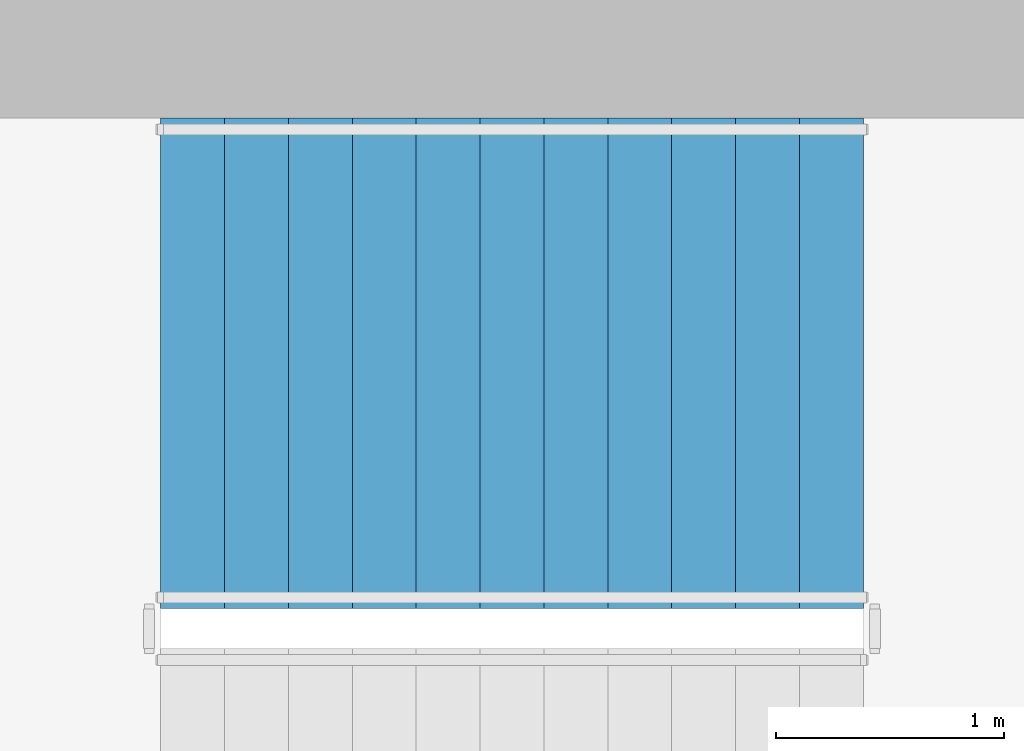
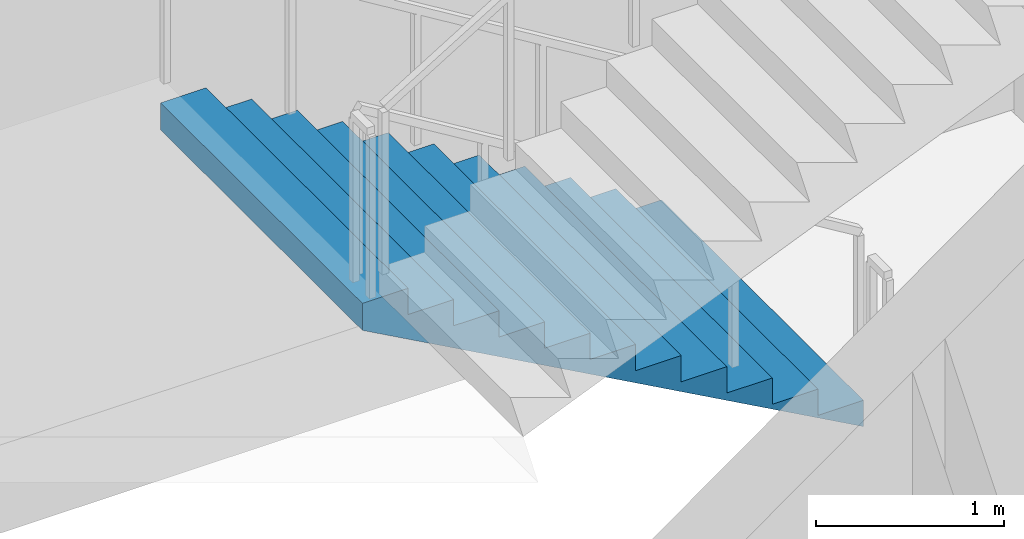
# One storey, part 10 of 15: 1 stair flight, 1 element without a shape of its own.
"""IFC4 building model written with IfcOpenShell, lengths in metres."""

from ifc_helpers import new_model, si_unit, direction, frame, origin, place, context, subcontext, project, spatial, triangles, material, type_object, element, aggregate, save


model = new_model("IFC4")

# Units and contexts
model_context = context("Model", 3, precision=1e-05, world=origin(), true_north=direction((0.0, 1.0)))
body_context = subcontext(model_context, "Body", "Model", "MODEL_VIEW")
ifc_project = project(units=[si_unit("LENGTHUNIT", "METRE"), si_unit("AREAUNIT", "SQUARE_METRE"), si_unit("VOLUMEUNIT", "CUBIC_METRE"), si_unit("PLANEANGLEUNIT", "RADIAN"), si_unit("MASSUNIT", "GRAM", prefix="KILO")], contexts=[model_context])

# Site, building, storey
site_placement = place(None, origin())
site = spatial("IfcSite", under=ifc_project, at=site_placement, CompositionType="ELEMENT")
building_placement = place(site_placement, origin())
building = spatial("IfcBuilding", under=site, at=building_placement, Name="Cypress Arch Tower", CompositionType="ELEMENT")
storey_placement = place(building_placement, frame((0.0, 0.0, 313.10009765625)))
storey = spatial("IfcBuildingStorey", under=building, at=storey_placement, Name="L71", CompositionType="ELEMENT", Elevation=313.10009765625)

# Stair, stair flight
ifc_material_1 = material(Name="Concrete C40/50", Category="concrete")
stair_type = type_object("IfcStairType", Name="Exit stair ES1708-215", PredefinedType="HALF_TURN_STAIR", material=ifc_material_1)
stair_placement = place(storey_placement, origin())
stair = element("IfcStair", 1, at=stair_placement, inside=storey, type_object=stair_type, Name="L71 Exit stair B", PredefinedType="HALF_TURN_STAIR")
ifc_material_2 = material(Name="Concrete C40/50", Category="concrete")
stair_flight_type = type_object("IfcStairFlightType", Name="Exit stair flight ES1708-215", PredefinedType="STRAIGHT", material=ifc_material_2)
stair_flight_placement = place(storey_placement, frame((-22.27490234375, 13.72509765625, 0.0), z_axis=(0.0, 0.0, 1.0), x_axis=(-1.0, 0.0, 0.0)))
stair_flight = element("IfcStairFlight", 2, at=stair_flight_placement, type_object=stair_flight_type, Name="B flight 1", NumberOfRisers=12, NumberOfTreads=11, PredefinedType="STRAIGHT", RiserHeight=0.170833333, TreadLength=0.28, context=body_context, shape_type="Tessellation", body=[
    triangles([(0.0, -1.074951171875, 0.0), (0.000244140625, -1.074951171875, 0.01904296875), (0.000244140625, -1.074951171875, 0.0380859375), (0.00048828125, -1.074951171875, 0.056884765625), (0.00048828125, -1.074951171875, 0.075927734375), (0.00048828125, -1.074951171875, 0.094970703125), (0.00048828125, -1.074951171875, 0.114013671875), (0.000244140625, -1.074951171875, 0.1328125), (0.000244140625, -1.074951171875, 0.15185546875), (0.0, -1.074951171875, 0.1708984375), (0.280029296875, -1.074951171875, 0.1708984375), (0.280029296875, -1.074951171875, 0.341552734375), (0.56005859375, -1.074951171875, 0.341552734375), (0.56005859375, -1.074951171875, 0.512451171875), (0.840087890625, -1.074951171875, 0.512451171875), (0.840087890625, -1.074951171875, 0.683349609375), (1.1201171875, -1.074951171875, 0.683349609375), (1.1201171875, -1.074951171875, 0.854248046875), (1.39990234375, -1.074951171875, 0.854248046875), (1.39990234375, -1.074951171875, 1.02490234375), (1.679931640625, -1.074951171875, 1.02490234375), (1.679931640625, -1.074951171875, 1.19580078125), (1.9599609375, -1.074951171875, 1.19580078125), (1.9599609375, -1.074951171875, 1.36669921875), (2.239990234375, -1.074951171875, 1.36669921875), (2.239990234375, -1.074951171875, 1.53759765625), (2.52001953125, -1.074951171875, 1.53759765625), (2.52001953125, -1.074951171875, 1.708251953125), (2.800048828125, -1.074951171875, 1.708251953125), (2.800048828125, -1.074951171875, 1.879150390625), (3.080078125, -1.074951171875, 1.879150390625), (3.079833984375, -1.074951171875, 1.859619140625), (3.079833984375, -1.074951171875, 1.840087890625), (3.07958984375, -1.074951171875, 1.820556640625), (3.07958984375, -1.074951171875, 1.801025390625), (3.07958984375, -1.074951171875, 1.78173828125), (3.07958984375, -1.074951171875, 1.76220703125), (3.079833984375, -1.074951171875, 1.74267578125), (3.079833984375, -1.074951171875, 1.72314453125), (3.080078125, -1.074951171875, 1.70361328125), (3.080078125, 1.074951171875, 1.70361328125), (3.079833984375, 1.074951171875, 1.72314453125), (3.079833984375, 1.074951171875, 1.74267578125), (3.07958984375, 1.074951171875, 1.76220703125), (3.07958984375, 1.074951171875, 1.78173828125), (3.07958984375, 1.074951171875, 1.801025390625), (3.07958984375, 1.074951171875, 1.820556640625), (3.079833984375, 1.074951171875, 1.840087890625), (3.079833984375, 1.074951171875, 1.859619140625), (3.080078125, 1.074951171875, 1.879150390625), (2.800048828125, 1.074951171875, 1.879150390625), (2.800048828125, 1.074951171875, 1.708251953125), (2.52001953125, 1.074951171875, 1.708251953125), (2.52001953125, 1.074951171875, 1.53759765625), (2.239990234375, 1.074951171875, 1.53759765625), (2.239990234375, 1.074951171875, 1.36669921875), (1.9599609375, 1.074951171875, 1.36669921875), (1.9599609375, 1.074951171875, 1.19580078125), (1.679931640625, 1.074951171875, 1.19580078125), (1.679931640625, 1.074951171875, 1.02490234375), (1.39990234375, 1.074951171875, 1.02490234375), (1.39990234375, 1.074951171875, 0.854248046875), (1.1201171875, 1.074951171875, 0.854248046875), (1.1201171875, 1.074951171875, 0.683349609375), (0.840087890625, 1.074951171875, 0.683349609375), (0.840087890625, 1.074951171875, 0.512451171875), (0.56005859375, 1.074951171875, 0.512451171875), (0.56005859375, 1.074951171875, 0.341552734375), (0.280029296875, 1.074951171875, 0.341552734375), (0.280029296875, 1.074951171875, 0.1708984375), (0.0, 1.074951171875, 0.1708984375), (0.000244140625, 1.074951171875, 0.15185546875), (0.000244140625, 1.074951171875, 0.1328125), (0.00048828125, 1.074951171875, 0.114013671875), (0.00048828125, 1.074951171875, 0.094970703125), (0.00048828125, 1.074951171875, 0.075927734375), (0.00048828125, 1.074951171875, 0.056884765625), (0.000244140625, 1.074951171875, 0.0380859375), (0.000244140625, 1.074951171875, 0.01904296875), (0.0, 1.074951171875, 0.0)], [[40, 39, 30], [39, 38, 30], [38, 37, 30], [37, 36, 30], [36, 35, 30], [35, 34, 30], [34, 33, 30], [33, 32, 30], [32, 31, 30], [19, 18, 17], [27, 26, 25], [25, 24, 23], [23, 22, 21], [17, 16, 15], [15, 14, 13], [10, 9, 11], [9, 8, 11], [8, 7, 11], [7, 6, 11], [6, 5, 11], [5, 4, 11], [4, 3, 11], [3, 2, 11], [2, 1, 11], [29, 28, 27], [21, 20, 19], [13, 12, 11], [40, 30, 29], [40, 29, 27], [40, 27, 25], [40, 25, 23], [40, 23, 21], [40, 21, 19], [40, 19, 17], [40, 17, 15], [40, 15, 13], [1, 40, 13], [13, 11, 1], [41, 51, 42], [42, 51, 43], [43, 51, 44], [44, 51, 45], [45, 51, 46], [46, 51, 47], [47, 51, 48], [48, 51, 49], [49, 51, 50], [62, 64, 63], [54, 56, 55], [56, 58, 57], [58, 60, 59], [64, 66, 65], [66, 68, 67], [71, 70, 72], [72, 70, 73], [73, 70, 74], [74, 70, 75], [75, 70, 76], [76, 70, 77], [77, 70, 78], [78, 70, 79], [79, 70, 80], [52, 54, 53], [60, 62, 61], [68, 70, 69], [41, 52, 51], [41, 54, 52], [41, 56, 54], [41, 58, 56], [41, 60, 58], [41, 62, 60], [41, 64, 62], [41, 66, 64], [41, 68, 66], [80, 68, 41], [68, 80, 70], [41, 42, 39], [41, 39, 40], [42, 43, 38], [42, 38, 39], [43, 44, 37], [43, 37, 38], [44, 45, 36], [44, 36, 37], [45, 46, 35], [45, 35, 36], [46, 47, 34], [46, 34, 35], [47, 48, 33], [47, 33, 34], [48, 49, 32], [48, 32, 33], [49, 50, 31], [49, 31, 32], [50, 51, 30], [50, 30, 31], [51, 52, 29], [51, 29, 30], [52, 53, 28], [52, 28, 29], [53, 54, 27], [53, 27, 28], [54, 55, 26], [54, 26, 27], [55, 56, 25], [55, 25, 26], [56, 57, 24], [56, 24, 25], [57, 58, 23], [57, 23, 24], [58, 59, 22], [58, 22, 23], [59, 60, 21], [59, 21, 22], [60, 61, 20], [60, 20, 21], [61, 62, 19], [61, 19, 20], [62, 63, 18], [62, 18, 19], [63, 64, 17], [63, 17, 18], [64, 65, 16], [64, 16, 17], [65, 66, 15], [65, 15, 16], [66, 67, 14], [66, 14, 15], [67, 68, 13], [67, 13, 14], [68, 69, 12], [68, 12, 13], [69, 70, 11], [69, 11, 12], [70, 71, 10], [70, 10, 11], [71, 72, 9], [71, 9, 10], [72, 73, 8], [72, 8, 9], [73, 74, 7], [73, 7, 8], [74, 75, 6], [74, 6, 7], [75, 76, 5], [75, 5, 6], [76, 77, 4], [76, 4, 5], [77, 78, 3], [77, 3, 4], [78, 79, 2], [78, 2, 3], [79, 80, 1], [79, 1, 2], [80, 41, 40], [80, 40, 1]], closed=True),
])
aggregate(stair, [stair_flight])

save(model, "model.ifc")
